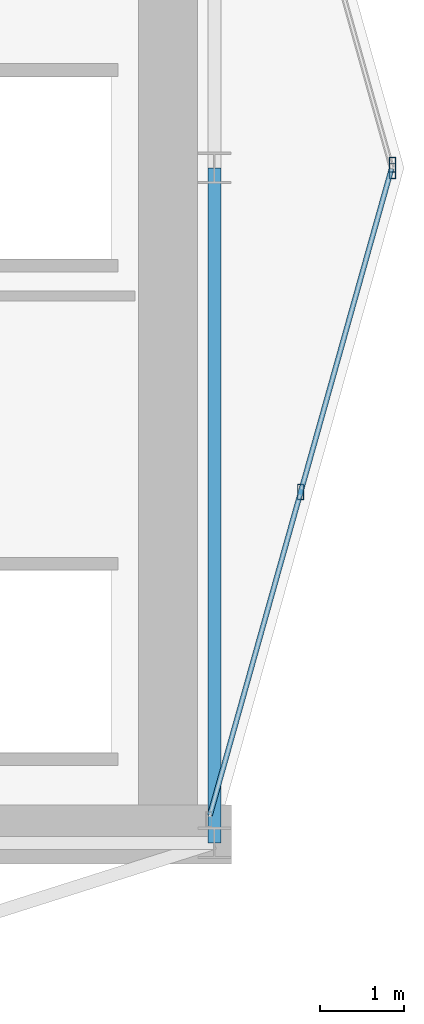
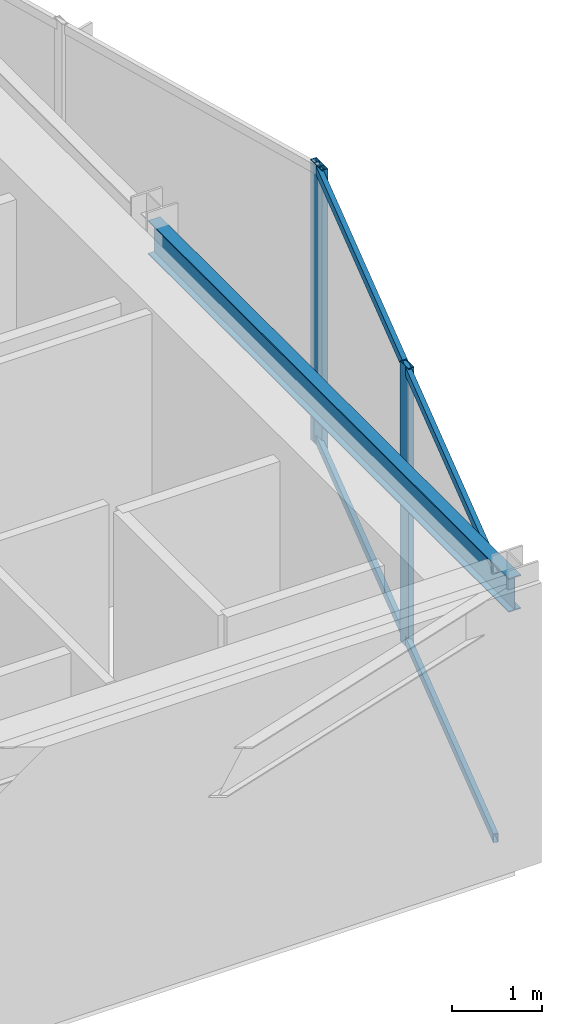
# One storey, part 11 of 21: 5 members, 1 beam, 2 elements without a shape of their own.
"""IFC4 building model written with IfcOpenShell, lengths in metres."""

from ifc_helpers import new_model, si_unit, direction, frame, origin, origin_2d, place, context, subcontext, project, spatial, hollow_rectangle, i_section, extrude, material, layer, layer_set, material_profile, profile_set, type_object, element, aggregate, save


model = new_model("IFC4")

# Units and contexts
model_context = context("Model", 3, precision=1e-05, world=origin(), true_north=direction((0.0, 1.0)))
body_context = subcontext(model_context, "Body", "Model", "MODEL_VIEW")
ifc_project = project(units=[si_unit("LENGTHUNIT", "METRE"), si_unit("AREAUNIT", "SQUARE_METRE"), si_unit("VOLUMEUNIT", "CUBIC_METRE"), si_unit("PLANEANGLEUNIT", "RADIAN"), si_unit("MASSUNIT", "GRAM", prefix="KILO")], contexts=[model_context])

# Site, building, storey
site_placement = place(None, origin())
site = spatial("IfcSite", under=ifc_project, at=site_placement, CompositionType="ELEMENT")
building_placement = place(site_placement, origin())
building = spatial("IfcBuilding", under=site, at=building_placement, Name="Veymaron Broadcast Tower", CompositionType="ELEMENT")
storey_placement = place(building_placement, frame((0.0, 0.0, 240.449951171875)))
storey = spatial("IfcBuildingStorey", under=building, at=storey_placement, Name="L56", CompositionType="ELEMENT", Elevation=240.449951171875)

# Beam
ifc_material_1 = material(Name="Structural steel ASTM A992 Gr 50", Category="steel")
ifc_material_profile_1 = material_profile(ifc_material_1, i_section(OverallWidth=0.154052734375, OverallDepth=0.458984375, WebThickness=0.009033203125, FlangeThickness=0.015380859375, at=origin_2d()), Name="W460X68")
ifc_profile_set_1 = profile_set([ifc_material_profile_1], Name="Structural steel ASTM A992 Gr 50")
beam_type = type_object("IfcBeamType", Name="BM-SP2", PredefinedType="SPANDREL", material=ifc_profile_set_1)
beam_placement = place(storey_placement, frame((54.60009765625, 16.0, 3.560546875), z_axis=(0.0, 1.0, 0.0), x_axis=(-1.0, 0.0, 0.0)))
element("IfcBeam", 1, at=beam_placement, inside=storey, type_object=beam_type, Name="L56 primary structural floor girder", PredefinedType="SPANDREL", context=body_context, shape_type="SweptSolid", body=[
    extrude(i_section(OverallWidth=0.154052734375, OverallDepth=0.458984375, WebThickness=0.009033203125, FlangeThickness=0.015380859375, at=origin_2d()), origin(), (0.0, 0.0, 1.0), 8.0),
])

# Curtain wall, members
ifc_material_2 = material(Name="Anodised aluminium AA 6063-T6 and laminated low-E dark glass", Category="aluminium")
ifc_layer = layer(ifc_material_2, 0.179931640625)
ifc_layer_set = layer_set([ifc_layer], Name="Anodised aluminium AA 6063-T6 and laminated low-E dark glass")
curtain_wall_type = type_object("IfcCurtainWallType", Name="CW-SYS-05", PredefinedType="NOTDEFINED", material=ifc_layer_set)
curtain_wall_1_placement = place(storey_placement, origin())
curtain_wall_1 = element("IfcCurtainWall", 2, at=curtain_wall_1_placement, inside=storey, type_object=curtain_wall_type, Name="L56 dark-glass curtain wall CW-L56-E4-1", PredefinedType="NOTDEFINED")
ifc_material_3 = material(Name="Anodised aluminium AA 6063-T6", Category="aluminium")
ifc_material_profile_2 = material_profile(ifc_material_3, hollow_rectangle(XDim=0.074951171875, YDim=0.179931640625, WallThickness=0.0048828125, at=origin_2d()), Name="AL180X75X5")
ifc_profile_set_2 = profile_set([ifc_material_profile_2], Name="Anodised aluminium AA 6063-T6")
member_type_1 = type_object("IfcMemberType", Name="CW-MUL-02", PredefinedType="MULLION", material=ifc_profile_set_2)
member_1_placement = place(storey_placement, frame((55.622802734375, 20.1591796875, 0.0), z_axis=(0.0, 0.0, 1.0), x_axis=(1.0, 0.0, 0.0)))
member_1 = element("IfcMember", 3, at=member_1_placement, type_object=member_type_1, Name="CW-L56-E4-1 mullion 1", PredefinedType="MULLION", context=body_context, shape_type="SweptSolid", body=[
    extrude(hollow_rectangle(XDim=0.074951171875, YDim=0.179931640625, WallThickness=0.0048828125, at=origin_2d()), origin(), (0.0, 0.0, 1.0), 3.7900390625),
])
member_2_placement = place(storey_placement, frame((56.712158203125, 24.037841796875, 0.0), z_axis=(0.0, 0.0, 1.0), x_axis=(1.0, 0.0, 0.0)))
member_2 = element("IfcMember", 4, at=member_2_placement, type_object=member_type_1, Name="CW-L56-E4-1 mullion 2", PredefinedType="MULLION", context=body_context, shape_type="SweptSolid", body=[
    extrude(hollow_rectangle(XDim=0.074951171875, YDim=0.179931640625, WallThickness=0.0048828125, at=origin_2d()), origin(), (0.0, 0.0, 1.0), 3.7900390625),
])

# Curtain wall, member
curtain_wall_2_placement = place(storey_placement, origin())
curtain_wall_2 = element("IfcCurtainWall", 5, at=curtain_wall_2_placement, inside=storey, type_object=curtain_wall_type, Name="L56 dark-glass curtain wall CW-L56-E5-1", PredefinedType="NOTDEFINED")
member_3_placement = place(storey_placement, frame((56.712158203125, 23.962158203125, 0.0), z_axis=(0.0, 0.0, 1.0), x_axis=(1.0, 0.0, 0.0)))
member_3 = element("IfcMember", 6, at=member_3_placement, type_object=member_type_1, Name="CW-L56-E5-1 mullion 0", PredefinedType="MULLION", context=body_context, shape_type="SweptSolid", body=[
    extrude(hollow_rectangle(XDim=0.074951171875, YDim=0.179931640625, WallThickness=0.0048828125, at=origin_2d()), origin(), (0.0, 0.0, 1.0), 3.7900390625),
])
aggregate(curtain_wall_2, [member_3])

# Member
ifc_material_profile_3 = material_profile(ifc_material_3, hollow_rectangle(XDim=0.06005859375, YDim=0.1201171875, WallThickness=0.00390625, at=origin_2d()), Name="AL120X60X4")
ifc_profile_set_3 = profile_set([ifc_material_profile_3], Name="Anodised aluminium AA 6063-T6")
member_type_2 = type_object("IfcMemberType", Name="CW-TRN-02", PredefinedType="USERDEFINED", material=ifc_profile_set_3)
member_4_placement = place(storey_placement, frame((54.546875, 16.328369140625, 0.070068359375), z_axis=(0.270407060971, 0.962746083543, 0.0), x_axis=(-0.962746083543, 0.270407060971, 0.0)))
member_4 = element("IfcMember", 7, at=member_4_placement, type_object=member_type_2, Name="CW-L56-E4-1 transom B", ObjectType="TRANSOM", PredefinedType="USERDEFINED", context=body_context, shape_type="SweptSolid", body=[
    extrude(hollow_rectangle(XDim=0.06005859375, YDim=0.1201171875, WallThickness=0.00390625, at=origin_2d()), origin(), (0.0, 0.0, 1.0), 7.957763671875),
])

member_5_placement = place(storey_placement, frame((54.546875, 16.328369140625, 3.719970703125), z_axis=(0.270407060971, 0.962746083543, 0.0), x_axis=(-0.962746083543, 0.270407060971, 0.0)))
member_5 = element("IfcMember", 8, at=member_5_placement, type_object=member_type_2, Name="CW-L56-E4-1 transom T", ObjectType="TRANSOM", PredefinedType="USERDEFINED", context=body_context, shape_type="SweptSolid", body=[
    extrude(hollow_rectangle(XDim=0.06005859375, YDim=0.1201171875, WallThickness=0.00390625, at=origin_2d()), origin(), (0.0, 0.0, 1.0), 7.957763671875),
])

aggregate(curtain_wall_1, [member_1, member_2, member_4, member_5])

save(model, "model.ifc")
